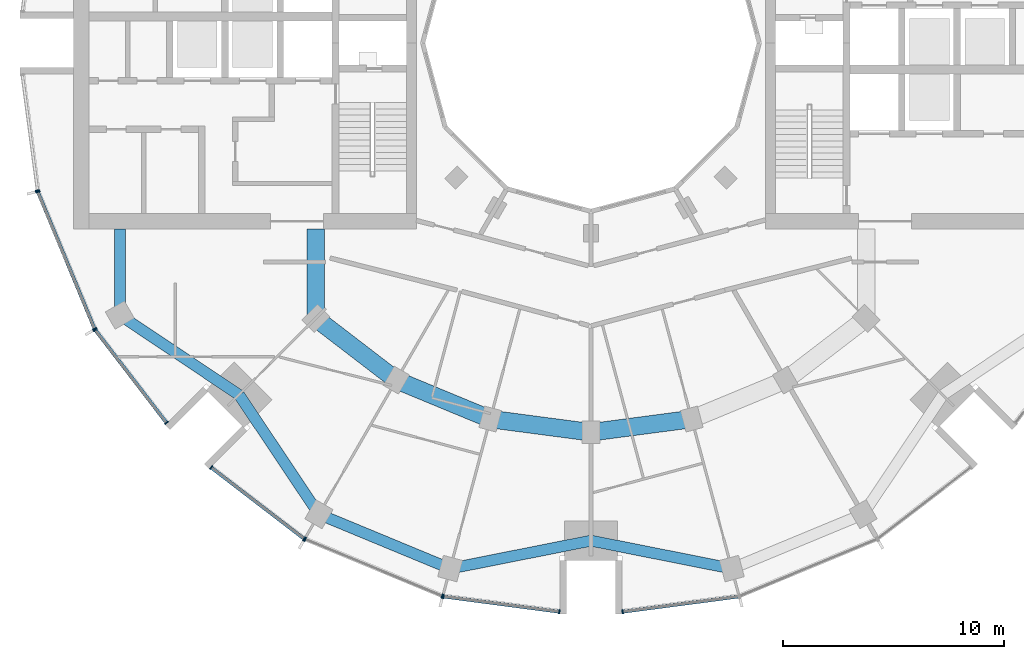
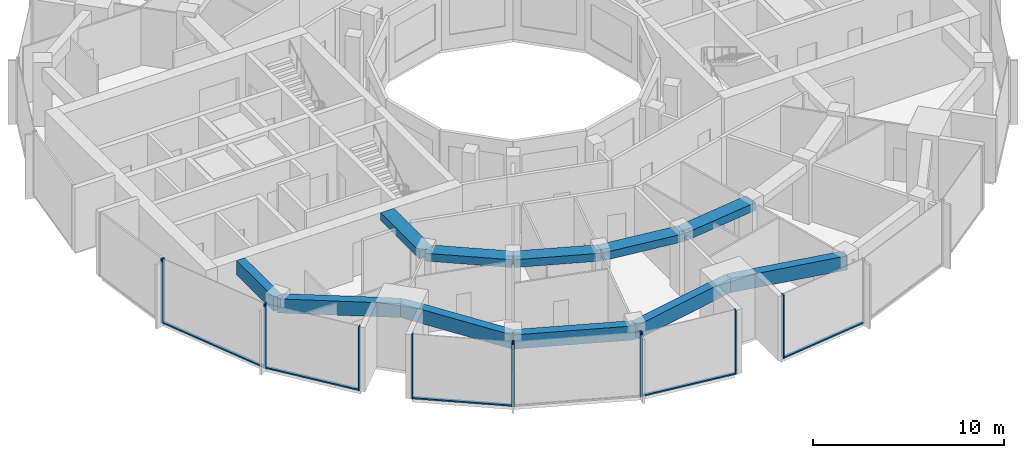
# One storey, part 2 of 15: 17 members, 11 beams, 7 elements without a shape of their own.
"""IFC4 building model written with IfcOpenShell, lengths in metres."""

from ifc_helpers import new_model, si_unit, direction, frame, origin, origin_2d, place, context, subcontext, project, spatial, rectangle, extrude, material, layer, layer_set, material_profile, profile_set, type_object, element, aggregate, save


model = new_model("IFC4")

# Units and contexts
model_context = context("Model", 3, precision=1e-05, world=origin(), true_north=direction((0.0, 1.0)))
body_context = subcontext(model_context, "Body", "Model", "MODEL_VIEW")
ifc_project = project(units=[si_unit("LENGTHUNIT", "METRE"), si_unit("AREAUNIT", "SQUARE_METRE"), si_unit("VOLUMEUNIT", "CUBIC_METRE"), si_unit("PLANEANGLEUNIT", "RADIAN"), si_unit("MASSUNIT", "GRAM", prefix="KILO")], contexts=[model_context])

# Site, building, storey
site_placement = place(None, origin())
site = spatial("IfcSite", under=ifc_project, at=site_placement, CompositionType="ELEMENT")
building_placement = place(site_placement, origin())
building = spatial("IfcBuilding", under=site, at=building_placement, Name="Torre Brocal", CompositionType="ELEMENT")
storey_placement = place(building_placement, frame((0.0, 0.0, 165.89990234375)))
storey = spatial("IfcBuildingStorey", under=building, at=storey_placement, Name="L38", CompositionType="ELEMENT", Elevation=165.89990234375)

# Curtain wall, members
ifc_material_1 = material(Name="Aluminium and glass", Category="aluminium")
ifc_layer_1 = layer(ifc_material_1, 0.199951171875)
ifc_layer_set_1 = layer_set([ifc_layer_1], Name="Aluminium and glass")
curtain_wall_type_1 = type_object("IfcCurtainWallType", Name="CW-1 CURTAIN WALL 4100 HIGH", PredefinedType="NOTDEFINED", material=ifc_layer_set_1)
curtain_wall_1_placement = place(storey_placement, origin())
curtain_wall_1 = element("IfcCurtainWall", 1, at=curtain_wall_1_placement, inside=storey, type_object=curtain_wall_type_1, Name="CW-1 RUN 14", PredefinedType="NOTDEFINED")
ifc_material_2 = material(Name="Aluminium, dark anodised", Category="aluminium")
ifc_material_profile_1 = material_profile(ifc_material_2, rectangle(XDim=0.199951171875, YDim=0.06005859375, at=origin_2d()), Name="CW-1 MULLION 60X200")
ifc_profile_set_1 = profile_set([ifc_material_profile_1], Name="Aluminium, dark anodised")
member_type_1 = type_object("IfcMemberType", Name="CW-1 MULLION 60X200", PredefinedType="MULLION", material=ifc_profile_set_1)
member_1_placement = place(storey_placement, frame((54.994873046875, 68.26904296875, 0.0), z_axis=(0.0, 0.0, 1.0), x_axis=(0.923879532525, 0.382683432333, 0.0)))
member_1 = element("IfcMember", 2, at=member_1_placement, type_object=member_type_1, Name="CW1-4 mullion 1", PredefinedType="MULLION", context=body_context, shape_type="SweptSolid", body=[
    extrude(rectangle(XDim=0.199951171875, YDim=0.06005859375, at=origin_2d()), origin(), (0.0, 0.0, 1.0), 4.10009765625),
])
member_2_placement = place(storey_placement, frame((57.559326171875, 62.078125, 0.0), z_axis=(0.0, 0.0, 1.0), x_axis=(0.923879532525, 0.382683432333, 0.0)))
member_2 = element("IfcMember", 3, at=member_2_placement, type_object=member_type_1, Name="CW1-4 mullion 2", PredefinedType="MULLION", context=body_context, shape_type="SweptSolid", body=[
    extrude(rectangle(XDim=0.199951171875, YDim=0.06005859375, at=origin_2d()), origin(), (0.0, 0.0, 1.0), 4.10009765625),
])

curtain_wall_2_placement = place(storey_placement, origin())
curtain_wall_2 = element("IfcCurtainWall", 4, at=curtain_wall_2_placement, inside=storey, type_object=curtain_wall_type_1, Name="CW-1 RUN 15", PredefinedType="NOTDEFINED")
member_3_placement = place(storey_placement, frame((57.5888671875, 62.026611328125, 0.0), z_axis=(0.0, 0.0, 1.0), x_axis=(0.793353340259, 0.60876142905, 0.0)))
member_3 = element("IfcMember", 5, at=member_3_placement, type_object=member_type_1, Name="CW1-4 mullion 1", PredefinedType="MULLION", context=body_context, shape_type="SweptSolid", body=[
    extrude(rectangle(XDim=0.199951171875, YDim=0.06005859375, at=origin_2d()), origin(), (0.0, 0.0, 1.0), 4.10009765625),
])
member_4_placement = place(storey_placement, frame((60.80859375, 57.83056640625, 0.0), z_axis=(0.0, 0.0, 1.0), x_axis=(0.793353340259, 0.60876142905, 0.0)))
member_4 = element("IfcMember", 6, at=member_4_placement, type_object=member_type_1, Name="CW1-4 mullion 2", PredefinedType="MULLION", context=body_context, shape_type="SweptSolid", body=[
    extrude(rectangle(XDim=0.199951171875, YDim=0.06005859375, at=origin_2d()), origin(), (0.0, 0.0, 1.0), 4.10009765625),
])

curtain_wall_3_placement = place(storey_placement, origin())
curtain_wall_3 = element("IfcCurtainWall", 7, at=curtain_wall_3_placement, inside=storey, type_object=curtain_wall_type_1, Name="CW-1 RUN 16", PredefinedType="NOTDEFINED")
member_5_placement = place(storey_placement, frame((62.83056640625, 55.80859375, 0.0), z_axis=(0.0, 0.0, 1.0), x_axis=(0.60876142905, 0.793353340259, 0.0)))
member_5 = element("IfcMember", 8, at=member_5_placement, type_object=member_type_1, Name="CW1-4 mullion 1", PredefinedType="MULLION", context=body_context, shape_type="SweptSolid", body=[
    extrude(rectangle(XDim=0.199951171875, YDim=0.06005859375, at=origin_2d()), origin(), (0.0, 0.0, 1.0), 4.10009765625),
])
member_6_placement = place(storey_placement, frame((67.026611328125, 52.5888671875, 0.0), z_axis=(0.0, 0.0, 1.0), x_axis=(0.60876142905, 0.793353340259, 0.0)))
member_6 = element("IfcMember", 9, at=member_6_placement, type_object=member_type_1, Name="CW1-4 mullion 2", PredefinedType="MULLION", context=body_context, shape_type="SweptSolid", body=[
    extrude(rectangle(XDim=0.199951171875, YDim=0.06005859375, at=origin_2d()), origin(), (0.0, 0.0, 1.0), 4.10009765625),
])

curtain_wall_4_placement = place(storey_placement, origin())
curtain_wall_4 = element("IfcCurtainWall", 10, at=curtain_wall_4_placement, inside=storey, type_object=curtain_wall_type_1, Name="CW-1 RUN 17", PredefinedType="NOTDEFINED")
member_7_placement = place(storey_placement, frame((67.078125, 52.559326171875, 0.0), z_axis=(0.0, 0.0, 1.0), x_axis=(0.382683432333, 0.923879532525, 0.0)))
member_7 = element("IfcMember", 11, at=member_7_placement, type_object=member_type_1, Name="CW1-4 mullion 1", PredefinedType="MULLION", context=body_context, shape_type="SweptSolid", body=[
    extrude(rectangle(XDim=0.199951171875, YDim=0.06005859375, at=origin_2d()), origin(), (0.0, 0.0, 1.0), 4.10009765625),
])
member_8_placement = place(storey_placement, frame((73.26904296875, 49.994873046875, 0.0), z_axis=(0.0, 0.0, 1.0), x_axis=(0.382683432333, 0.923879532525, 0.0)))
member_8 = element("IfcMember", 12, at=member_8_placement, type_object=member_type_1, Name="CW1-4 mullion 2", PredefinedType="MULLION", context=body_context, shape_type="SweptSolid", body=[
    extrude(rectangle(XDim=0.199951171875, YDim=0.06005859375, at=origin_2d()), origin(), (0.0, 0.0, 1.0), 4.10009765625),
])
aggregate(curtain_wall_4, [member_7, member_8])

curtain_wall_5_placement = place(storey_placement, origin())
curtain_wall_5 = element("IfcCurtainWall", 13, at=curtain_wall_5_placement, inside=storey, type_object=curtain_wall_type_1, Name="CW-1 RUN 18", PredefinedType="NOTDEFINED")
member_9_placement = place(storey_placement, frame((73.32666015625, 49.9794921875, 0.0), z_axis=(0.0, 0.0, 1.0), x_axis=(0.13052619222, 0.991444861374, 0.0)))
member_9 = element("IfcMember", 14, at=member_9_placement, type_object=member_type_1, Name="CW1-4 mullion 1", PredefinedType="MULLION", context=body_context, shape_type="SweptSolid", body=[
    extrude(rectangle(XDim=0.199951171875, YDim=0.06005859375, at=origin_2d()), origin(), (0.0, 0.0, 1.0), 4.10009765625),
])
member_10_placement = place(storey_placement, frame((78.5703125, 49.2890625, 0.0), z_axis=(0.0, 0.0, 1.0), x_axis=(0.13052619222, 0.991444861374, 0.0)))
member_10 = element("IfcMember", 15, at=member_10_placement, type_object=member_type_1, Name="CW1-4 mullion 2", PredefinedType="MULLION", context=body_context, shape_type="SweptSolid", body=[
    extrude(rectangle(XDim=0.199951171875, YDim=0.06005859375, at=origin_2d()), origin(), (0.0, 0.0, 1.0), 4.10009765625),
])

# Curtain wall, member
curtain_wall_6_placement = place(storey_placement, origin())
curtain_wall_6 = element("IfcCurtainWall", 16, at=curtain_wall_6_placement, inside=storey, type_object=curtain_wall_type_1, Name="CW-1 RUN 19", PredefinedType="NOTDEFINED")
member_11_placement = place(storey_placement, frame((81.4296875, 49.2890625, 0.0), z_axis=(0.0, 0.0, 1.0), x_axis=(-0.13052619222, 0.991444861374, 0.0)))
member_11 = element("IfcMember", 17, at=member_11_placement, type_object=member_type_1, Name="CW1-4 mullion 1", PredefinedType="MULLION", context=body_context, shape_type="SweptSolid", body=[
    extrude(rectangle(XDim=0.199951171875, YDim=0.06005859375, at=origin_2d()), origin(), (0.0, 0.0, 1.0), 4.10009765625),
])

# Member
ifc_material_3 = material(Name="Aluminium, dark anodised", Category="aluminium")
ifc_material_profile_2 = material_profile(ifc_material_3, rectangle(XDim=0.159912109375, YDim=0.080078125, at=origin_2d()), Name="CW-1 TRANSOM 160X80")
ifc_profile_set_2 = profile_set([ifc_material_profile_2], Name="Aluminium, dark anodised")
member_type_2 = type_object("IfcMemberType", Name="CW-1 TRANSOM 160X80", PredefinedType="USERDEFINED", material=ifc_profile_set_2)
member_12_placement = place(storey_placement, frame((55.00634765625, 68.241455078125, 0.0400390625), z_axis=(0.38266457234, -0.923887344364, 0.0), x_axis=(0.923887344364, 0.38266457234, 0.0)))
member_12 = element("IfcMember", 18, at=member_12_placement, type_object=member_type_2, Name="CW1-4 transom 1.1", ObjectType="TRANSOM", PredefinedType="USERDEFINED", context=body_context, shape_type="SweptSolid", body=[
    extrude(rectangle(XDim=0.159912109375, YDim=0.080078125, at=origin_2d()), origin(), (0.0, 0.0, 1.0), 6.640869140625),
])

aggregate(curtain_wall_1, [member_1, member_2, member_12])

member_13_placement = place(storey_placement, frame((57.607177734375, 62.0029296875, 0.0400390625), z_axis=(0.60874908096, -0.79336281513, 0.0), x_axis=(0.79336281513, 0.60874908096, 0.0)))
member_13 = element("IfcMember", 19, at=member_13_placement, type_object=member_type_2, Name="CW1-4 transom 1.1", ObjectType="TRANSOM", PredefinedType="USERDEFINED", context=body_context, shape_type="SweptSolid", body=[
    extrude(rectangle(XDim=0.159912109375, YDim=0.080078125, at=origin_2d()), origin(), (0.0, 0.0, 1.0), 5.22900390625),
])

aggregate(curtain_wall_2, [member_3, member_4, member_13])

member_14_placement = place(storey_placement, frame((62.8544921875, 55.790283203125, 0.0400390625), z_axis=(0.79336281513, -0.60874908096, 0.0), x_axis=(0.60874908096, 0.79336281513, 0.0)))
member_14 = element("IfcMember", 20, at=member_14_placement, type_object=member_type_2, Name="CW1-4 transom 1.1", ObjectType="TRANSOM", PredefinedType="USERDEFINED", context=body_context, shape_type="SweptSolid", body=[
    extrude(rectangle(XDim=0.159912109375, YDim=0.080078125, at=origin_2d()), origin(), (0.0, 0.0, 1.0), 5.22900390625),
])

aggregate(curtain_wall_3, [member_5, member_6, member_14])

member_15_placement = place(storey_placement, frame((73.356201171875, 49.9755859375, 0.0400390625), z_axis=(0.991442690863, -0.130542677827, 0.0), x_axis=(0.130542677827, 0.991442690863, 0.0)))
member_15 = element("IfcMember", 21, at=member_15_placement, type_object=member_type_2, Name="CW1-4 transom 1.1", ObjectType="TRANSOM", PredefinedType="USERDEFINED", context=body_context, shape_type="SweptSolid", body=[
    extrude(rectangle(XDim=0.159912109375, YDim=0.080078125, at=origin_2d()), origin(), (0.0, 0.0, 1.0), 5.22900390625),
])

aggregate(curtain_wall_5, [member_9, member_10, member_15])

member_16_placement = place(storey_placement, frame((81.45947265625, 49.29296875, 0.0400390625), z_axis=(0.991442690863, 0.130542677827, 0.0), x_axis=(-0.130542677827, 0.991442690863, 0.0)))
member_16 = element("IfcMember", 22, at=member_16_placement, type_object=member_type_2, Name="CW1-4 transom 1.1", ObjectType="TRANSOM", PredefinedType="USERDEFINED", context=body_context, shape_type="SweptSolid", body=[
    extrude(rectangle(XDim=0.159912109375, YDim=0.080078125, at=origin_2d()), origin(), (0.0, 0.0, 1.0), 5.22900390625),
])

aggregate(curtain_wall_6, [member_11, member_16])

# Curtain wall, member
ifc_material_4 = material(Name="Aluminium and glass", Category="aluminium")
ifc_layer_2 = layer(ifc_material_4, 0.199951171875)
ifc_layer_set_2 = layer_set([ifc_layer_2], Name="Aluminium and glass")
curtain_wall_type_2 = type_object("IfcCurtainWallType", Name="CW-1B CURTAIN WALL 4100 HIGH", PredefinedType="NOTDEFINED", material=ifc_layer_set_2)
curtain_wall_7_placement = place(storey_placement, origin())
curtain_wall_7 = element("IfcCurtainWall", 23, at=curtain_wall_7_placement, inside=storey, type_object=curtain_wall_type_2, Name="CW-1B RUN 13", PredefinedType="NOTDEFINED")
ifc_material_5 = material(Name="Aluminium, dark anodised", Category="aluminium")
ifc_material_profile_3 = material_profile(ifc_material_5, rectangle(XDim=0.199951171875, YDim=0.06005859375, at=origin_2d()), Name="CW-1B MULLION 60X200")
ifc_profile_set_3 = profile_set([ifc_material_profile_3], Name="Aluminium, dark anodised")
member_type_3 = type_object("IfcMemberType", Name="CW-1B MULLION 60X200", PredefinedType="MULLION", material=ifc_profile_set_3)
member_17_placement = place(storey_placement, frame((54.9794921875, 68.32666015625, 0.0), z_axis=(0.0, 0.0, 1.0), x_axis=(0.991444861374, 0.13052619222, 0.0)))
member_17 = element("IfcMember", 24, at=member_17_placement, type_object=member_type_3, Name="CW1B-4 mullion 2", PredefinedType="MULLION", context=body_context, shape_type="SweptSolid", body=[
    extrude(rectangle(XDim=0.199951171875, YDim=0.06005859375, at=origin_2d()), origin(), (0.0, 0.0, 1.0), 4.10009765625),
])
aggregate(curtain_wall_7, [member_17])

# Beams
ifc_material_6 = material(Name="Concrete C50", Category="concrete")
ifc_material_profile_4 = material_profile(ifc_material_6, rectangle(XDim=0.800048828125, YDim=0.5, at=origin_2d()), Name="RC 800X500")
ifc_profile_set_4 = profile_set([ifc_material_profile_4], Name="Concrete C50")
beam_type_1 = type_object("IfcBeamType", Name="RC BEAM 800X500 C50 TOP 3780", PredefinedType="BEAM", material=ifc_profile_set_4)
beam_1_placement = place(storey_placement, frame((67.554931640625, 62.554931640625, 3.530029296875), z_axis=(0.0, 1.0, 0.0), x_axis=(-1.0, 0.0, 0.0)))
element("IfcBeam", 25, at=beam_1_placement, inside=storey, type_object=beam_type_1, Name="Beam BT-32", PredefinedType="BEAM", context=body_context, shape_type="SweptSolid", body=[
    extrude(rectangle(XDim=0.800048828125, YDim=0.5, at=origin_2d()), origin(), (0.0, 0.0, 1.0), 4.045166015625),
])
beam_2_placement = place(storey_placement, frame((67.554931640625, 62.554931640625, 3.530029296875), z_axis=(0.793358265959, -0.6087550097, 0.0), x_axis=(0.6087550097, 0.793358265959, 0.0)))
element("IfcBeam", 26, at=beam_2_placement, inside=storey, type_object=beam_type_1, Name="Beam BT-32", PredefinedType="BEAM", context=body_context, shape_type="SweptSolid", body=[
    extrude(rectangle(XDim=0.800048828125, YDim=0.5, at=origin_2d()), origin(), (0.0, 0.0, 1.0), 4.594482421875),
])
beam_3_placement = place(storey_placement, frame((71.199951171875, 59.758056640625, 3.530029296875), z_axis=(0.923878240166, -0.382686552348, 0.0), x_axis=(0.382686552348, 0.923878240166, 0.0)))
element("IfcBeam", 27, at=beam_3_placement, inside=storey, type_object=beam_type_1, Name="Beam BT-32", PredefinedType="BEAM", context=body_context, shape_type="SweptSolid", body=[
    extrude(rectangle(XDim=0.800048828125, YDim=0.5, at=origin_2d()), origin(), (0.0, 0.0, 1.0), 4.5947265625),
])
for number, where, z_axis, x_axis, name in (
    (28, (75.44482421875, 57.999755859375, 3.530029296875), (0.991440544449, -0.130558978332, 0.0), (0.130558978332, 0.991440544449, 0.0), "Beam BT-32"),
    (29, (80.0, 57.39990234375, 3.530029296875), (0.991440544449, 0.130558978332, 0.0), (-0.130558978332, 0.991440544449, 0.0), "Beam BT-32"),
):
    element("IfcBeam", number, at=place(storey_placement, frame(where, z_axis=z_axis, x_axis=x_axis)), inside=storey, type_object=beam_type_1, Name=name, PredefinedType="BEAM", context=body_context, shape_type="SweptSolid", body=[
        extrude(rectangle(XDim=0.800048828125, YDim=0.5, at=origin_2d()), origin(), (0.0, 0.0, 1.0), 4.594482421875),
    ])
ifc_material_7 = material(Name="Concrete C50", Category="concrete")
ifc_material_profile_5 = material_profile(ifc_material_7, rectangle(XDim=0.5, YDim=0.89990234375, at=origin_2d()), Name="RC 500X900")
ifc_profile_set_5 = profile_set([ifc_material_profile_5], Name="Concrete C50")
beam_type_2 = type_object("IfcBeamType", Name="RC SPANDREL BEAM 500X900 C50 TOP 3780", PredefinedType="SPANDREL", material=ifc_profile_set_5)
beam_4_placement = place(storey_placement, frame((58.69580078125, 62.699951171875, 3.330078125), z_axis=(0.0, 1.0, 0.0), x_axis=(-1.0, 0.0, 0.0)))
element("IfcBeam", 30, at=beam_4_placement, inside=storey, type_object=beam_type_2, Name="Beam BT-33", PredefinedType="SPANDREL", context=body_context, shape_type="SweptSolid", body=[
    extrude(rectangle(XDim=0.5, YDim=0.89990234375, at=origin_2d()), origin(), (0.0, 0.0, 1.0), 3.900146484375),
])
for number, where, z_axis, x_axis, name in (
    (31, (58.69580078125, 62.699951171875, 3.330078125), (0.831076844476, -0.556157602282, 0.0), (0.556157602282, 0.831076844476, 0.0), "Beam BT-33"),
    (32, (64.090087890625, 59.090087890625, 3.330078125), (0.556157602282, -0.831076844476, 0.0), (0.831076844476, 0.556157602282, 0.0), "Beam BT-33"),
):
    element("IfcBeam", number, at=place(storey_placement, frame(where, z_axis=z_axis, x_axis=x_axis)), inside=storey, type_object=beam_type_2, Name=name, PredefinedType="SPANDREL", context=body_context, shape_type="SweptSolid", body=[
        extrude(rectangle(XDim=0.5, YDim=0.89990234375, at=origin_2d()), origin(), (0.0, 0.0, 1.0), 6.49072265625),
    ])
beam_5_placement = place(storey_placement, frame((67.699951171875, 53.69580078125, 3.330078125), z_axis=(0.923882462513, -0.382676358639, 0.0), x_axis=(0.382676358639, 0.923882462513, 0.0)))
element("IfcBeam", 33, at=beam_5_placement, inside=storey, type_object=beam_type_2, Name="Beam BT-33", PredefinedType="SPANDREL", context=body_context, shape_type="SweptSolid", body=[
    extrude(rectangle(XDim=0.5, YDim=0.89990234375, at=origin_2d()), origin(), (0.0, 0.0, 1.0), 6.421875),
])
for number, where, z_axis, x_axis, name in (
    (34, (73.633056640625, 51.23828125, 3.330078125), (0.980924907484, 0.194387051723, 0.0), (-0.194387051723, 0.980924907484, 0.0), "Beam BT-33"),
    (35, (80.0, 52.5, 3.330078125), (0.980924907484, -0.194387051723, 0.0), (0.194387051723, 0.980924907484, 0.0), "Beam BT-33"),
):
    element("IfcBeam", number, at=place(storey_placement, frame(where, z_axis=z_axis, x_axis=x_axis)), inside=storey, type_object=beam_type_2, Name=name, PredefinedType="SPANDREL", context=body_context, shape_type="SweptSolid", body=[
        extrude(rectangle(XDim=0.5, YDim=0.89990234375, at=origin_2d()), origin(), (0.0, 0.0, 1.0), 6.49072265625),
    ])

save(model, "model.ifc")
